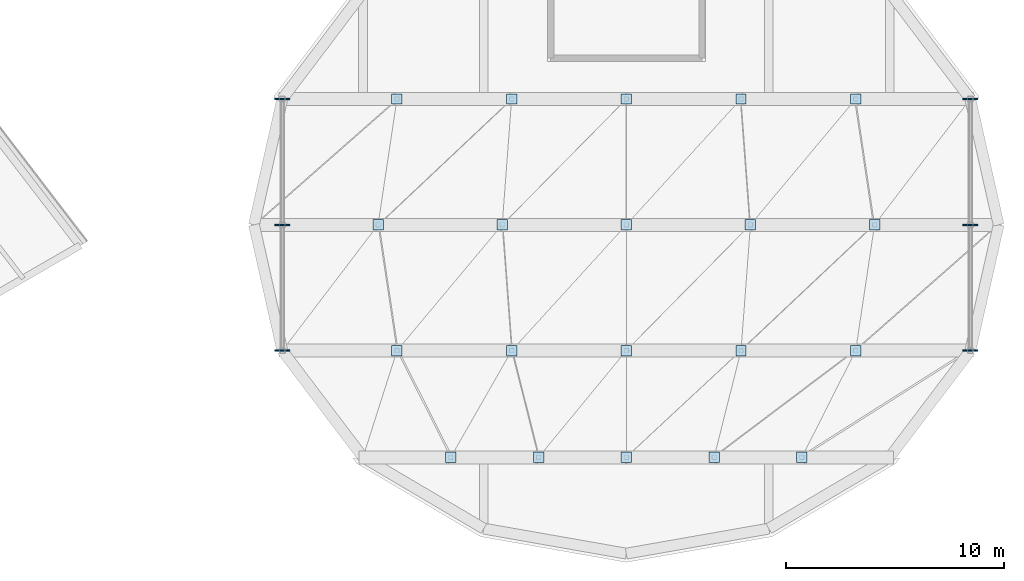
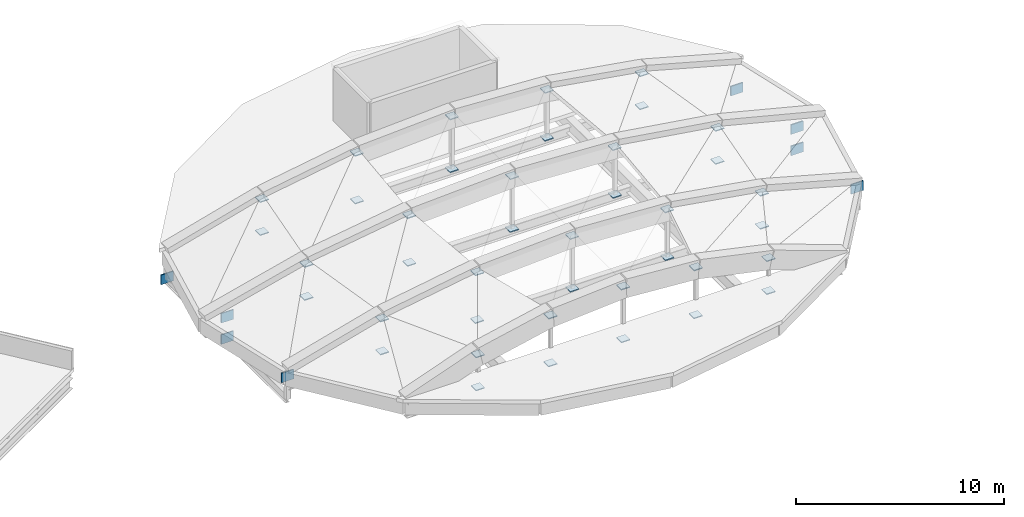
# One storey, part 73 of 88: 48 plates.
"""IFC4 building model written with IfcOpenShell, lengths in metres."""

from ifc_helpers import new_model, si_unit, direction, frame, origin, origin_2d, place, context, subcontext, project, spatial, rectangle, extrude, material, layer, layer_set, type_object, element, save


model = new_model("IFC4")

# Units and contexts
model_context = context("Model", 3, precision=1e-05, world=origin(), true_north=direction((0.0, 1.0)))
body_context = subcontext(model_context, "Body", "Model", "MODEL_VIEW")
ifc_project = project(units=[si_unit("LENGTHUNIT", "METRE"), si_unit("AREAUNIT", "SQUARE_METRE"), si_unit("VOLUMEUNIT", "CUBIC_METRE"), si_unit("PLANEANGLEUNIT", "RADIAN"), si_unit("MASSUNIT", "GRAM", prefix="KILO")], contexts=[model_context])

# Site, building, storey
site_placement = place(None, origin())
site = spatial("IfcSite", under=ifc_project, at=site_placement, CompositionType="ELEMENT")
building_placement = place(site_placement, origin())
building = spatial("IfcBuilding", under=site, at=building_placement, Name="Vespera Passage Community Centre", CompositionType="ELEMENT")
storey_placement = place(building_placement, frame((0.0, 0.0, 16.5)))
storey = spatial("IfcBuildingStorey", under=building, at=storey_placement, Name="L04", CompositionType="ELEMENT", Elevation=16.5)

# Plates
ifc_material_1 = material(Name="Steel ASTM A572 Grade 50", Category="steel")
ifc_layer_1 = layer(ifc_material_1, 0.054931640625)
ifc_layer_set_1 = layer_set([ifc_layer_1], Name="Steel ASTM A572 Grade 50")
plate_type_1 = type_object("IfcPlateType", Name="PL-CAP-55", PredefinedType="SHEET", material=ifc_layer_set_1)
for number, where, z_axis, x_axis, name in (
    (1, (134.93896484375, 78.82275390625, -0.9775390625), (0.0, 0.0, 1.0), (1.0, 0.0, 0.0), "Sports Arch Post 1.1 End Plate B"),
    (2, (134.93896484375, 78.82275390625, 0.95703125), (0.0, 0.0, 1.0), (1.0, 0.0, 0.0), "Sports Arch Post 1.1 End Plate T"),
    (3, (138.969482421875, 78.82275390625, -0.9775390625), (0.0, 0.0, 1.0), (1.0, 0.0, 0.0), "Sports Arch Post 1.2 End Plate B"),
    (4, (138.969482421875, 78.82275390625, 1.82373046875), (0.0, 0.0, 1.0), (1.0, 0.0, 0.0), "Sports Arch Post 1.2 End Plate T"),
    (5, (143.0, 78.82275390625, -0.9775390625), (0.0, 0.0, 1.0), (1.0, 0.0, 0.0), "Sports Arch Post 1.3 End Plate B"),
    (6, (143.0, 78.82275390625, 2.1123046875), (0.0, 0.0, 1.0), (1.0, 0.0, 0.0), "Sports Arch Post 1.3 End Plate T"),
    (7, (147.030517578125, 78.82275390625, -0.9775390625), (0.0, 0.0, 1.0), (1.0, 0.0, 0.0), "Sports Arch Post 1.4 End Plate B"),
    (8, (147.030517578125, 78.82275390625, 1.82373046875), (0.0, 0.0, 1.0), (1.0, 0.0, 0.0), "Sports Arch Post 1.4 End Plate T"),
    (9, (151.06103515625, 78.82275390625, -0.9775390625), (0.0, 0.0, 1.0), (1.0, 0.0, 0.0), "Sports Arch Post 1.5 End Plate B"),
    (10, (151.06103515625, 78.82275390625, 0.95703125), (0.0, 0.0, 1.0), (1.0, 0.0, 0.0), "Sports Arch Post 1.5 End Plate T"),
    (11, (132.4677734375, 83.721435546875, -0.9775390625), (0.0, 0.0, 1.0), (1.0, 0.0, 0.0), "Sports Arch Post 2.1 End Plate B"),
    (12, (132.4677734375, 83.721435546875, 0.95703125), (0.0, 0.0, 1.0), (1.0, 0.0, 0.0), "Sports Arch Post 2.1 End Plate T"),
    (13, (137.73388671875, 83.721435546875, -0.9775390625), (0.0, 0.0, 1.0), (1.0, 0.0, 0.0), "Sports Arch Post 2.2 End Plate B"),
    (14, (137.73388671875, 83.721435546875, 1.82373046875), (0.0, 0.0, 1.0), (1.0, 0.0, 0.0), "Sports Arch Post 2.2 End Plate T"),
    (15, (143.0, 83.721435546875, -0.9775390625), (0.0, 0.0, 1.0), (1.0, 0.0, 0.0), "Sports Arch Post 2.3 End Plate B"),
    (16, (143.0, 83.721435546875, 2.1123046875), (0.0, 0.0, 1.0), (1.0, 0.0, 0.0), "Sports Arch Post 2.3 End Plate T"),
    (17, (148.26611328125, 83.721435546875, -0.9775390625), (0.0, 0.0, 1.0), (1.0, 0.0, 0.0), "Sports Arch Post 2.4 End Plate B"),
    (18, (148.26611328125, 83.721435546875, 1.82373046875), (0.0, 0.0, 1.0), (1.0, 0.0, 0.0), "Sports Arch Post 2.4 End Plate T"),
    (19, (153.5322265625, 83.721435546875, -0.9775390625), (0.0, 0.0, 1.0), (1.0, 0.0, 0.0), "Sports Arch Post 2.5 End Plate B"),
    (20, (153.5322265625, 83.721435546875, 0.95703125), (0.0, 0.0, 1.0), (1.0, 0.0, 0.0), "Sports Arch Post 2.5 End Plate T"),
    (21, (131.60009765625, 89.5, -0.9775390625), (0.0, 0.0, 1.0), (1.0, 0.0, 0.0), "Sports Arch Post 3.1 End Plate B"),
    (22, (131.60009765625, 89.5, 0.95703125), (0.0, 0.0, 1.0), (1.0, 0.0, 0.0), "Sports Arch Post 3.1 End Plate T"),
    (23, (137.300048828125, 89.5, -0.9775390625), (0.0, 0.0, 1.0), (1.0, 0.0, 0.0), "Sports Arch Post 3.2 End Plate B"),
    (24, (137.300048828125, 89.5, 1.82373046875), (0.0, 0.0, 1.0), (1.0, 0.0, 0.0), "Sports Arch Post 3.2 End Plate T"),
    (25, (143.0, 89.5, -0.9775390625), (0.0, 0.0, 1.0), (1.0, 0.0, 0.0), "Sports Arch Post 3.3 End Plate B"),
    (26, (143.0, 89.5, 2.1123046875), (0.0, 0.0, 1.0), (1.0, 0.0, 0.0), "Sports Arch Post 3.3 End Plate T"),
    (27, (148.699951171875, 89.5, -0.9775390625), (0.0, 0.0, 1.0), (1.0, 0.0, 0.0), "Sports Arch Post 3.4 End Plate B"),
    (28, (148.699951171875, 89.5, 1.82373046875), (0.0, 0.0, 1.0), (1.0, 0.0, 0.0), "Sports Arch Post 3.4 End Plate T"),
    (29, (154.39990234375, 89.5, -0.9775390625), (0.0, 0.0, 1.0), (1.0, 0.0, 0.0), "Sports Arch Post 3.5 End Plate B"),
    (30, (154.39990234375, 89.5, 0.95703125), (0.0, 0.0, 1.0), (1.0, 0.0, 0.0), "Sports Arch Post 3.5 End Plate T"),
    (31, (132.4677734375, 95.278564453125, -0.9775390625), (0.0, 0.0, 1.0), (1.0, 0.0, 0.0), "Sports Arch Post 4.1 End Plate B"),
    (32, (132.4677734375, 95.278564453125, 0.95703125), (0.0, 0.0, 1.0), (1.0, 0.0, 0.0), "Sports Arch Post 4.1 End Plate T"),
    (33, (137.73388671875, 95.278564453125, -0.9775390625), (0.0, 0.0, 1.0), (1.0, 0.0, 0.0), "Sports Arch Post 4.2 End Plate B"),
    (34, (137.73388671875, 95.278564453125, 1.82373046875), (0.0, 0.0, 1.0), (1.0, 0.0, 0.0), "Sports Arch Post 4.2 End Plate T"),
    (35, (143.0, 95.278564453125, -0.9775390625), (0.0, 0.0, 1.0), (1.0, 0.0, 0.0), "Sports Arch Post 4.3 End Plate B"),
    (36, (143.0, 95.278564453125, 2.1123046875), (0.0, 0.0, 1.0), (1.0, 0.0, 0.0), "Sports Arch Post 4.3 End Plate T"),
    (37, (148.26611328125, 95.278564453125, -0.9775390625), (0.0, 0.0, 1.0), (1.0, 0.0, 0.0), "Sports Arch Post 4.4 End Plate B"),
    (38, (148.26611328125, 95.278564453125, 1.82373046875), (0.0, 0.0, 1.0), (1.0, 0.0, 0.0), "Sports Arch Post 4.4 End Plate T"),
    (39, (153.5322265625, 95.278564453125, -0.9775390625), (0.0, 0.0, 1.0), (1.0, 0.0, 0.0), "Sports Arch Post 4.5 End Plate B"),
    (40, (153.5322265625, 95.278564453125, 0.95703125), (0.0, 0.0, 1.0), (1.0, 0.0, 0.0), "Sports Arch Post 4.5 End Plate T"),
):
    element("IfcPlate", number, at=place(storey_placement, frame(where, z_axis=z_axis, x_axis=x_axis)), inside=storey, type_object=plate_type_1, Name=name, PredefinedType="SHEET", context=body_context, shape_type="SweptSolid", body=[
        extrude(rectangle(XDim=0.47998046875, YDim=0.47998046875, at=origin_2d()), origin(), (0.0, 0.0, 1.0), 0.054931640625),
    ])
ifc_material_2 = material(Name="Steel ASTM A572 Grade 50", Category="steel")
ifc_layer_2 = layer(ifc_material_2, 0.06494140625)
ifc_layer_set_2 = layer_set([ifc_layer_2], Name="Steel ASTM A572 Grade 50")
plate_type_2 = type_object("IfcPlateType", Name="PL-GUS-65", PredefinedType="SHEET", material=ifc_layer_set_2)
for number, where, z_axis, x_axis, name in (
    (41, (158.79833984375, 95.278564453125, -2.090087890625), (0.0, 0.0, 1.0), (1.0, 0.0, 0.0), "Sports Eave Gusset 1.1A"),
    (42, (158.79833984375, 89.5, -0.840087890625), (0.0, 0.0, 1.0), (1.0, 0.0, 0.0), "Sports Eave Gusset 1.1B"),
    (43, (158.79833984375, 89.5, -2.090087890625), (0.0, 0.0, 1.0), (1.0, 0.0, 0.0), "Sports Eave Gusset 1.2A"),
    (44, (158.79833984375, 83.721435546875, -0.840087890625), (0.0, 0.0, 1.0), (1.0, 0.0, 0.0), "Sports Eave Gusset 1.2B"),
    (45, (127.20166015625, 95.278564453125, -2.090087890625), (0.0, 0.0, 1.0), (1.0, 0.0, 0.0), "Sports Eave Gusset 2.1A"),
    (46, (127.20166015625, 89.5, -0.840087890625), (0.0, 0.0, 1.0), (1.0, 0.0, 0.0), "Sports Eave Gusset 2.1B"),
    (47, (127.20166015625, 89.5, -2.090087890625), (0.0, 0.0, 1.0), (1.0, 0.0, 0.0), "Sports Eave Gusset 2.2A"),
    (48, (127.20166015625, 83.721435546875, -0.840087890625), (0.0, 0.0, 1.0), (1.0, 0.0, 0.0), "Sports Eave Gusset 2.2B"),
):
    element("IfcPlate", number, at=place(storey_placement, frame(where, z_axis=z_axis, x_axis=x_axis)), inside=storey, type_object=plate_type_2, Name=name, PredefinedType="SHEET", context=body_context, shape_type="SweptSolid", body=[
        extrude(rectangle(XDim=0.679931640625, YDim=0.06494140625, at=origin_2d()), origin(), (0.0, 0.0, 1.0), 0.56005859375),
    ])

save(model, "model.ifc")
